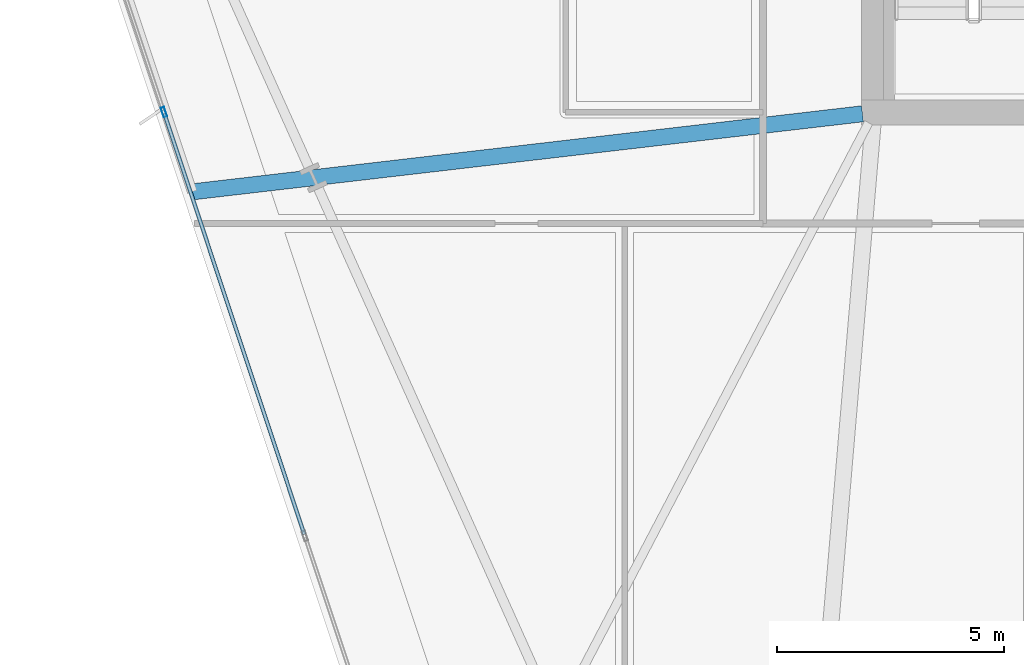
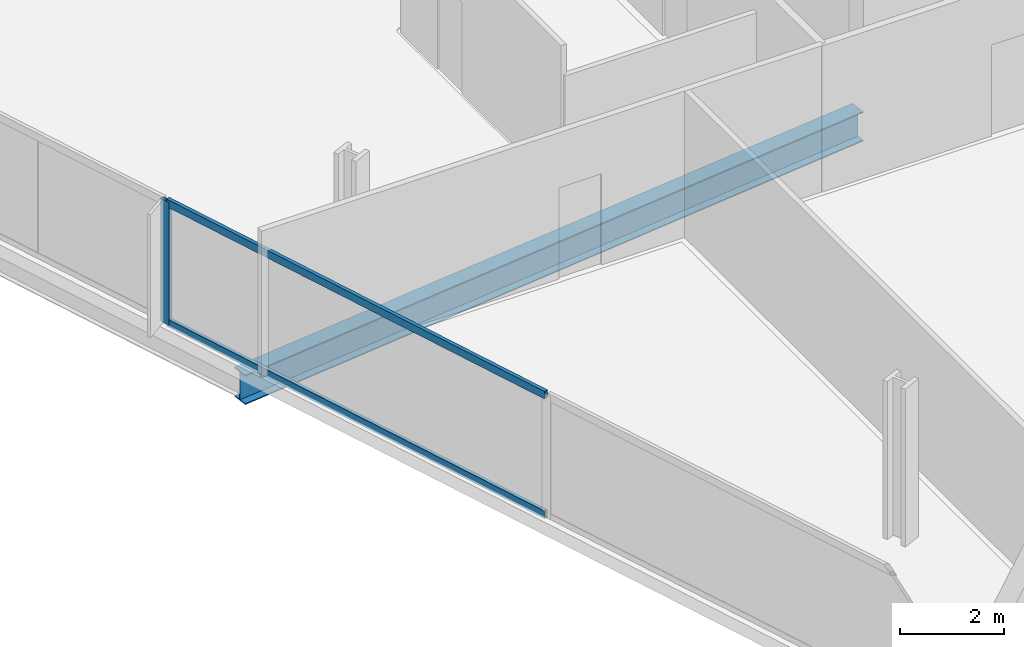
# One storey, part 5 of 34: 3 members, 1 beam, 1 element without a shape of its own.
"""IFC4 building model written with IfcOpenShell, lengths in metres."""

from ifc_helpers import new_model, si_unit, direction, frame, origin, origin_2d, place, context, subcontext, project, spatial, hollow_rectangle, i_section, extrude, material, material_profile, profile_set, type_object, element, aggregate, save


model = new_model("IFC4")

# Units and contexts
model_context = context("Model", 3, precision=1e-05, world=origin(), true_north=direction((0.0, 1.0)))
body_context = subcontext(model_context, "Body", "Model", "MODEL_VIEW")
ifc_project = project(units=[si_unit("LENGTHUNIT", "METRE"), si_unit("AREAUNIT", "SQUARE_METRE"), si_unit("VOLUMEUNIT", "CUBIC_METRE"), si_unit("PLANEANGLEUNIT", "RADIAN"), si_unit("MASSUNIT", "GRAM", prefix="KILO")], contexts=[model_context])

# Site, building, storey
site_placement = place(None, origin())
site = spatial("IfcSite", under=ifc_project, at=site_placement, CompositionType="ELEMENT")
building_placement = place(site_placement, origin())
building = spatial("IfcBuilding", under=site, at=building_placement, Name="Haldenkirk Collegiate Tower", CompositionType="ELEMENT")
storey_placement = place(building_placement, frame((0.0, 0.0, 90.449951171875)))
storey = spatial("IfcBuildingStorey", under=building, at=storey_placement, Name="L21", CompositionType="ELEMENT", Elevation=90.449951171875)

# Beam
ifc_material_1 = material(Name="Steel ASTM A992 Grade 50", Category="steel")
ifc_material_profile_1 = material_profile(ifc_material_1, i_section(OverallWidth=0.35498046875, OverallDepth=0.696044921875, WebThickness=0.015380859375, FlangeThickness=0.02490234375, at=origin_2d()), Name="W27X146")
ifc_profile_set_1 = profile_set([ifc_material_profile_1], Name="Steel ASTM A992 Grade 50")
beam_type = type_object("IfcBeamType", Name="BM-GIRDER-W27X146", PredefinedType="BEAM", material=ifc_profile_set_1)
beam_placement = place(storey_placement, frame((11.96923828125, 16.24951171875, -0.64794921875), z_axis=(0.993286917449, 0.115676703032, 0.0), x_axis=(-0.115676703032, 0.993286917449, 0.0)))
element("IfcBeam", 1, at=beam_placement, inside=storey, type_object=beam_type, Name="L21 primary floor girder 15", PredefinedType="BEAM", context=body_context, shape_type="SweptSolid", body=[
    extrude(i_section(OverallWidth=0.35498046875, OverallDepth=0.696044921875, WebThickness=0.015380859375, FlangeThickness=0.02490234375, at=origin_2d()), origin(), (0.0, 0.0, 1.0), 14.877197265625),
])

# Curtain wall, members
ifc_material_2 = material(Name="Anodised architectural bronze aluminium", Category="aluminium")
curtain_wall_type = type_object("IfcCurtainWallType", Name="CW-SYS1-CONVEX-LOW", PredefinedType="USERDEFINED", material=ifc_material_2)
curtain_wall_placement = place(storey_placement, origin())
curtain_wall = element("IfcCurtainWall", 2, at=curtain_wall_placement, inside=storey, type_object=curtain_wall_type, Name="L21 Lower tower convex bronze-framed unitised curtain wall", ObjectType="UNITISED CURTAIN WALL", PredefinedType="USERDEFINED")
ifc_material_profile_2 = material_profile(ifc_material_2, hollow_rectangle(XDim=0.080078125, YDim=0.219970703125, WallThickness=0.0048828125, at=origin_2d()), Name="CW-MUL-1A")
ifc_profile_set_2 = profile_set([ifc_material_profile_2], Name="Anodised architectural bronze aluminium")
member_type_1 = type_object("IfcMemberType", Name="CW-MUL-1A", PredefinedType="MULLION", material=ifc_profile_set_2)
member_1_placement = place(storey_placement, frame((11.342041015625, 18.008056640625, 0.0), z_axis=(0.0, 0.0, 1.0), x_axis=(-0.948875761641, -0.315649788486, 0.0)))
member_1 = element("IfcMember", 3, at=member_1_placement, type_object=member_type_1, Name="CW-1A mullion 3", PredefinedType="MULLION", context=body_context, shape_type="SweptSolid", body=[
    extrude(hollow_rectangle(XDim=0.080078125, YDim=0.219970703125, WallThickness=0.0048828125, at=origin_2d()), origin(), (0.0, 0.0, 1.0), 2.901123046875),
])
ifc_material_profile_3 = material_profile(ifc_material_2, hollow_rectangle(XDim=0.080078125, YDim=0.179931640625, WallThickness=0.0048828125, at=origin_2d()), Name="CW-TRN-1A")
ifc_profile_set_3 = profile_set([ifc_material_profile_3], Name="Anodised architectural bronze aluminium")
member_type_2 = type_object("IfcMemberType", Name="CW-TRN-1A", PredefinedType="USERDEFINED", material=ifc_profile_set_3)
member_2_placement = place(storey_placement, frame((14.4384765625, 8.69970703125, 0.0400390625), z_axis=(-0.315635466209, 0.94888052592, 0.0), x_axis=(-0.94888052592, -0.315635466209, 0.0)))
member_2 = element("IfcMember", 4, at=member_2_placement, type_object=member_type_2, Name="CW-1A transom 2.1", ObjectType="TRANSOM", PredefinedType="USERDEFINED", context=body_context, shape_type="SweptSolid", body=[
    extrude(hollow_rectangle(XDim=0.080078125, YDim=0.179931640625, WallThickness=0.0048828125, at=origin_2d()), origin(), (0.0, 0.0, 1.0), 9.77001953125),
])
member_3_placement = place(storey_placement, frame((14.4384765625, 8.69970703125, 2.861083984375), z_axis=(-0.315635466209, 0.94888052592, 0.0), x_axis=(-0.94888052592, -0.315635466209, 0.0)))
member_3 = element("IfcMember", 5, at=member_3_placement, type_object=member_type_2, Name="CW-1A transom 2.2", ObjectType="TRANSOM", PredefinedType="USERDEFINED", context=body_context, shape_type="SweptSolid", body=[
    extrude(hollow_rectangle(XDim=0.080078125, YDim=0.179931640625, WallThickness=0.0048828125, at=origin_2d()), origin(), (0.0, 0.0, 1.0), 9.77001953125),
])
aggregate(curtain_wall, [member_1, member_2, member_3])

save(model, "model.ifc")
